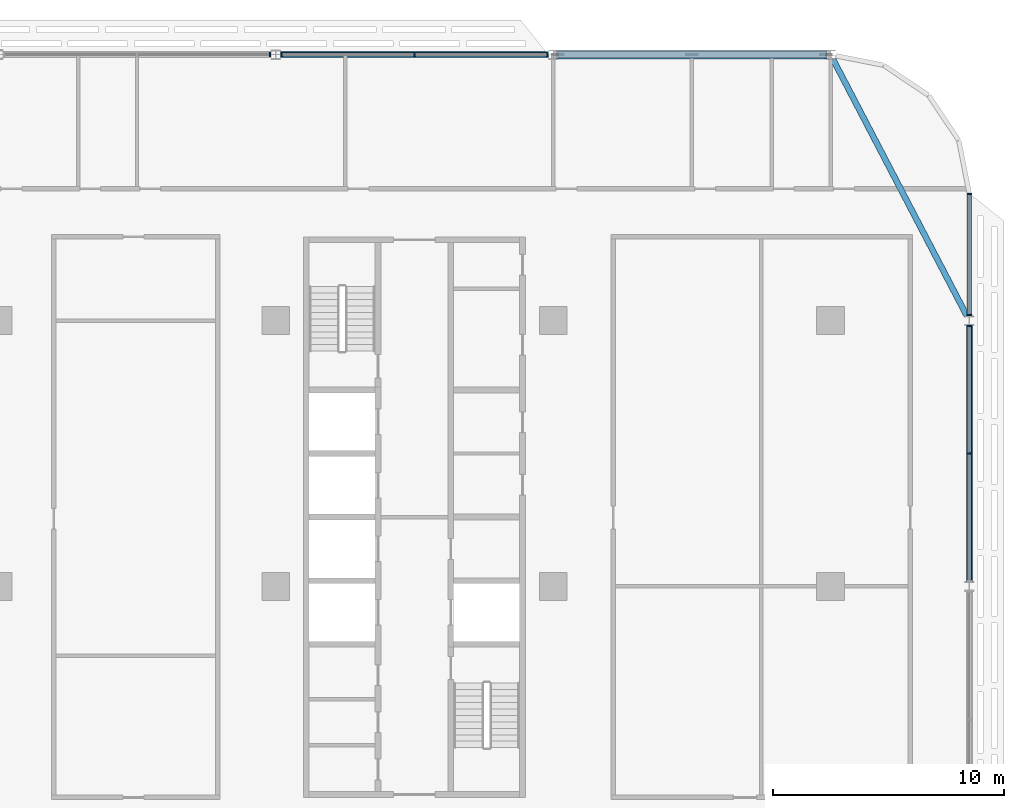
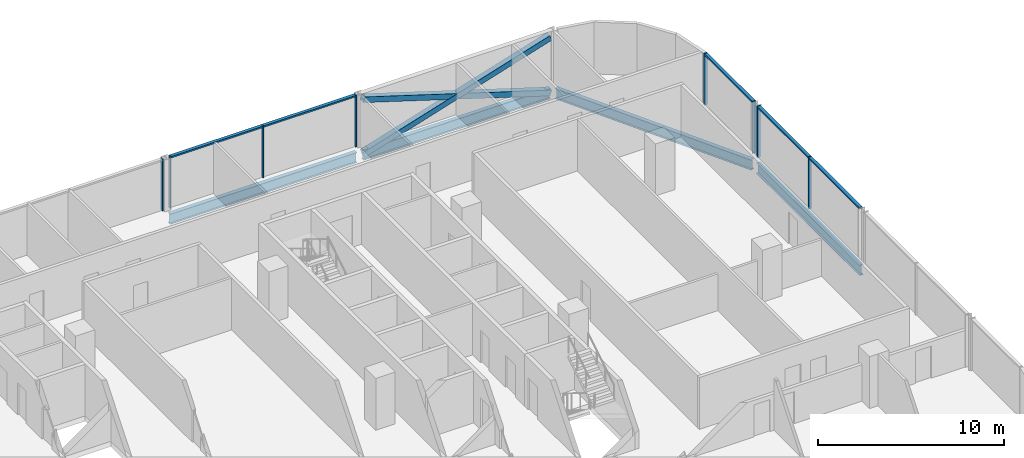
# One storey, part 9 of 28: 16 members, 4 beams, 4 elements without a shape of their own.
"""IFC4 building model written with IfcOpenShell, lengths in metres."""

from ifc_helpers import new_model, si_unit, direction, frame, origin, origin_2d, place, context, subcontext, project, spatial, rectangle, hollow_rectangle, i_section, extrude, material, material_profile, profile_set, type_object, element, aggregate, save


model = new_model("IFC4")

# Units and contexts
model_context = context("Model", 3, precision=1e-05, world=origin(), true_north=direction((0.0, 1.0)))
body_context = subcontext(model_context, "Body", "Model", "MODEL_VIEW")
ifc_project = project(units=[si_unit("LENGTHUNIT", "METRE"), si_unit("AREAUNIT", "SQUARE_METRE"), si_unit("VOLUMEUNIT", "CUBIC_METRE"), si_unit("PLANEANGLEUNIT", "RADIAN"), si_unit("MASSUNIT", "GRAM", prefix="KILO")], contexts=[model_context])

# Site, building, storey
site_placement = place(None, origin())
site = spatial("IfcSite", under=ifc_project, at=site_placement, CompositionType="ELEMENT")
building_placement = place(site_placement, origin())
building = spatial("IfcBuilding", under=site, at=building_placement, Name="Mahtab Terrace Research Tower", CompositionType="ELEMENT")
storey_placement = place(building_placement, frame((0.0, 0.0, 185.800048828125)))
storey = spatial("IfcBuildingStorey", under=building, at=storey_placement, Name="L44", CompositionType="ELEMENT", Elevation=185.800048828125)

# Members
ifc_material_1 = material(Name="Steel ASTM A500 Gr C", Category="steel")
ifc_material_profile_1 = material_profile(ifc_material_1, hollow_rectangle(XDim=0.355712890625, YDim=0.355712890625, WallThickness=0.015869140625, at=origin_2d()), Name="HSS14X14X5/8")
ifc_profile_set_1 = profile_set([ifc_material_profile_1], Name="Steel ASTM A500 Gr C")
member_type_1 = type_object("IfcMemberType", Name="HSS 14x14x5/8 brace XB141458", PredefinedType="BRACE", material=ifc_profile_set_1)
member_1_placement = place(storey_placement, frame((41.796875, 23.0, -0.61572265625), z_axis=(-0.954708641588, 0.0, 0.297542282166), x_axis=(0.0, -1.0, 0.0)))
element("IfcMember", 1, at=member_1_placement, inside=storey, type_object=member_type_1, Name="Exoskeleton brace L44 01 a", PredefinedType="BRACE", context=body_context, shape_type="SweptSolid", body=[
    extrude(hollow_rectangle(XDim=0.355712890625, YDim=0.355712890625, WallThickness=0.015869140625, at=origin_2d()), origin(), (0.0, 0.0, 1.0), 12.143798828125),
])
for number, where, z_axis, x_axis, name in (
    (2, (30.203125, 23.0, -0.61572265625), (0.954708641588, 0.0, 0.297542282166), (0.0, 1.0, 0.0), "Exoskeleton brace L44 01 b1"),
    (3, (36.0, 23.0, 1.19091796875), (0.954708641588, 0.0, 0.297542282166), (0.0, 1.0, 0.0), "Exoskeleton brace L44 01 b2"),
):
    element("IfcMember", number, at=place(storey_placement, frame(where, z_axis=z_axis, x_axis=x_axis)), inside=storey, type_object=member_type_1, Name=name, PredefinedType="BRACE", context=body_context, shape_type="SweptSolid", body=[
        extrude(hollow_rectangle(XDim=0.355712890625, YDim=0.355712890625, WallThickness=0.015869140625, at=origin_2d()), origin(), (0.0, 0.0, 1.0), 6.07177734375),
    ])

# Curtain wall, members
ifc_material_2 = material(Name="Laboratory ribbon curtain wall")
curtain_wall_type = type_object("IfcCurtainWallType", Name="Laboratory ribbon curtain wall", PredefinedType="NOTDEFINED", material=ifc_material_2)
curtain_wall_1_placement = place(storey_placement, origin())
curtain_wall_1 = element("IfcCurtainWall", 4, at=curtain_wall_1_placement, inside=storey, type_object=curtain_wall_type, Name="EN.L44.3.4", PredefinedType="NOTDEFINED")
ifc_material_3 = material(Name="Natural anodised aluminium", Category="aluminium")
ifc_material_profile_2 = material_profile(ifc_material_3, rectangle(XDim=0.199951171875, YDim=0.06494140625, at=origin_2d()), Name="MULLION 65x200")
ifc_profile_set_2 = profile_set([ifc_material_profile_2], Name="Natural anodised aluminium")
member_type_2 = type_object("IfcMemberType", Name="Laboratory ribbon curtain wall mullion", PredefinedType="MULLION", material=ifc_profile_set_2)
member_2_placement = place(storey_placement, frame((29.759521484375, 23.0, 0.0), z_axis=(0.0, 0.0, 1.0), x_axis=(0.0, -1.0, 0.0)))
member_2 = element("IfcMember", 5, at=member_2_placement, type_object=member_type_2, Name="CWL-5 mullion 1", PredefinedType="MULLION", context=body_context, shape_type="SweptSolid", body=[
    extrude(rectangle(XDim=0.199951171875, YDim=0.06494140625, at=origin_2d()), origin(), (0.0, 0.0, 1.0), 3.39990234375),
])
member_3_placement = place(storey_placement, frame((24.0, 23.0, 0.0), z_axis=(0.0, 0.0, 1.0), x_axis=(0.0, -1.0, 0.0)))
member_3 = element("IfcMember", 6, at=member_3_placement, type_object=member_type_2, Name="CWL-5 mullion 2", PredefinedType="MULLION", context=body_context, shape_type="SweptSolid", body=[
    extrude(rectangle(XDim=0.199951171875, YDim=0.06494140625, at=origin_2d()), origin(), (0.0, 0.0, 1.0), 3.39990234375),
])
member_4_placement = place(storey_placement, frame((18.240478515625, 23.0, 0.0), z_axis=(0.0, 0.0, 1.0), x_axis=(0.0, -1.0, 0.0)))
member_4 = element("IfcMember", 7, at=member_4_placement, type_object=member_type_2, Name="CWL-5 mullion 3", PredefinedType="MULLION", context=body_context, shape_type="SweptSolid", body=[
    extrude(rectangle(XDim=0.199951171875, YDim=0.06494140625, at=origin_2d()), origin(), (0.0, 0.0, 1.0), 3.39990234375),
])

# Curtain wall, member
curtain_wall_2_placement = place(storey_placement, origin())
curtain_wall_2 = element("IfcCurtainWall", 8, at=curtain_wall_2_placement, inside=storey, type_object=curtain_wall_type, Name="EN.L44.3.5", PredefinedType="NOTDEFINED")
member_5_placement = place(storey_placement, frame((17.759521484375, 23.0, 0.0), z_axis=(0.0, 0.0, 1.0), x_axis=(0.0, -1.0, 0.0)))
member_5 = element("IfcMember", 9, at=member_5_placement, type_object=member_type_2, Name="CWL-5 mullion 1", PredefinedType="MULLION", context=body_context, shape_type="SweptSolid", body=[
    extrude(rectangle(XDim=0.199951171875, YDim=0.06494140625, at=origin_2d()), origin(), (0.0, 0.0, 1.0), 3.39990234375),
])
aggregate(curtain_wall_2, [member_5])

# Curtain wall, members
curtain_wall_3_placement = place(storey_placement, origin())
curtain_wall_3 = element("IfcCurtainWall", 10, at=curtain_wall_3_placement, inside=storey, type_object=curtain_wall_type, Name="EN.L44.18.36", PredefinedType="NOTDEFINED")
member_6_placement = place(storey_placement, frame((48.0, 5.75, 0.0), z_axis=(0.0, 0.0, 1.0), x_axis=(-1.0, 0.0, 0.0)))
member_6 = element("IfcMember", 11, at=member_6_placement, type_object=member_type_2, Name="CWL-5 mullion 2", PredefinedType="MULLION", context=body_context, shape_type="SweptSolid", body=[
    extrude(rectangle(XDim=0.199951171875, YDim=0.06494140625, at=origin_2d()), origin(), (0.0, 0.0, 1.0), 3.39990234375),
])
member_7_placement = place(storey_placement, frame((48.0, 11.259521484375, 0.0), z_axis=(0.0, 0.0, 1.0), x_axis=(-1.0, 0.0, 0.0)))
member_7 = element("IfcMember", 12, at=member_7_placement, type_object=member_type_2, Name="CWL-5 mullion 3", PredefinedType="MULLION", context=body_context, shape_type="SweptSolid", body=[
    extrude(rectangle(XDim=0.199951171875, YDim=0.06494140625, at=origin_2d()), origin(), (0.0, 0.0, 1.0), 3.39990234375),
])

curtain_wall_4_placement = place(storey_placement, origin())
curtain_wall_4 = element("IfcCurtainWall", 13, at=curtain_wall_4_placement, inside=storey, type_object=curtain_wall_type, Name="EN.L44.18.37", PredefinedType="NOTDEFINED")
member_8_placement = place(storey_placement, frame((48.0, 11.740478515625, 0.0), z_axis=(0.0, 0.0, 1.0), x_axis=(-1.0, 0.0, 0.0)))
member_8 = element("IfcMember", 14, at=member_8_placement, type_object=member_type_2, Name="CWL-5 mullion 1", PredefinedType="MULLION", context=body_context, shape_type="SweptSolid", body=[
    extrude(rectangle(XDim=0.199951171875, YDim=0.06494140625, at=origin_2d()), origin(), (0.0, 0.0, 1.0), 3.39990234375),
])
member_9_placement = place(storey_placement, frame((48.0, 16.967529296875, 0.0), z_axis=(0.0, 0.0, 1.0), x_axis=(-1.0, 0.0, 0.0)))
member_9 = element("IfcMember", 15, at=member_9_placement, type_object=member_type_2, Name="CWL-5 mullion 2", PredefinedType="MULLION", context=body_context, shape_type="SweptSolid", body=[
    extrude(rectangle(XDim=0.199951171875, YDim=0.06494140625, at=origin_2d()), origin(), (0.0, 0.0, 1.0), 3.39990234375),
])

# Member
ifc_material_profile_3 = material_profile(ifc_material_3, rectangle(XDim=0.199951171875, YDim=0.10009765625, at=origin_2d()), Name="TRANSOM 100x200")
ifc_profile_set_3 = profile_set([ifc_material_profile_3], Name="Natural anodised aluminium")
member_type_3 = type_object("IfcMemberType", Name="Laboratory ribbon curtain wall transom", PredefinedType="USERDEFINED", material=ifc_profile_set_3)
member_10_placement = place(storey_placement, frame((29.72705078125, 23.0, 3.349853515625), z_axis=(-1.0, 0.0, 0.0), x_axis=(0.0, -1.0, 0.0)))
member_10 = element("IfcMember", 16, at=member_10_placement, type_object=member_type_3, Name="CWL-5 transom 1", ObjectType="TRANSOM", PredefinedType="USERDEFINED", context=body_context, shape_type="SweptSolid", body=[
    extrude(rectangle(XDim=0.199951171875, YDim=0.10009765625, at=origin_2d()), origin(), (0.0, 0.0, 1.0), 5.694580078125),
])

member_11_placement = place(storey_placement, frame((23.967529296875, 23.0, 3.349853515625), z_axis=(-1.0, 0.0, 0.0), x_axis=(0.0, -1.0, 0.0)))
member_11 = element("IfcMember", 17, at=member_11_placement, type_object=member_type_3, Name="CWL-5 transom 2", ObjectType="TRANSOM", PredefinedType="USERDEFINED", context=body_context, shape_type="SweptSolid", body=[
    extrude(rectangle(XDim=0.199951171875, YDim=0.10009765625, at=origin_2d()), origin(), (0.0, 0.0, 1.0), 5.694580078125),
])

aggregate(curtain_wall_1, [member_2, member_3, member_4, member_10, member_11])

member_12_placement = place(storey_placement, frame((48.0, 0.27294921875, 3.349853515625), z_axis=(0.0, 1.0, 0.0), x_axis=(-1.0, 0.0, 0.0)))
member_12 = element("IfcMember", 18, at=member_12_placement, type_object=member_type_3, Name="CWL-5 transom 1", ObjectType="TRANSOM", PredefinedType="USERDEFINED", context=body_context, shape_type="SweptSolid", body=[
    extrude(rectangle(XDim=0.199951171875, YDim=0.10009765625, at=origin_2d()), origin(), (0.0, 0.0, 1.0), 5.444580078125),
])

member_13_placement = place(storey_placement, frame((48.0, 5.782470703125, 3.349853515625), z_axis=(0.0, 1.0, 0.0), x_axis=(-1.0, 0.0, 0.0)))
member_13 = element("IfcMember", 19, at=member_13_placement, type_object=member_type_3, Name="CWL-5 transom 2", ObjectType="TRANSOM", PredefinedType="USERDEFINED", context=body_context, shape_type="SweptSolid", body=[
    extrude(rectangle(XDim=0.199951171875, YDim=0.10009765625, at=origin_2d()), origin(), (0.0, 0.0, 1.0), 5.444580078125),
])

aggregate(curtain_wall_3, [member_6, member_7, member_12, member_13])

member_14_placement = place(storey_placement, frame((48.0, 11.77294921875, 3.349853515625), z_axis=(0.0, 1.0, 0.0), x_axis=(-1.0, 0.0, 0.0)))
member_14 = element("IfcMember", 20, at=member_14_placement, type_object=member_type_3, Name="CWL-5 transom 1", ObjectType="TRANSOM", PredefinedType="USERDEFINED", context=body_context, shape_type="SweptSolid", body=[
    extrude(rectangle(XDim=0.199951171875, YDim=0.10009765625, at=origin_2d()), origin(), (0.0, 0.0, 1.0), 5.162109375),
])

aggregate(curtain_wall_4, [member_8, member_9, member_14])

# Beams
ifc_material_4 = material(Name="Steel ASTM A992 Gr 50", Category="steel")
ifc_material_profile_4 = material_profile(ifc_material_4, i_section(OverallWidth=0.25390625, OverallDepth=0.67822265625, WebThickness=0.01171875, FlangeThickness=0.016357421875, at=origin_2d()), Name="W27X84")
ifc_profile_set_4 = profile_set([ifc_material_profile_4], Name="Steel ASTM A992 Gr 50")
beam_type = type_object("IfcBeamType", Name="W27x84 beam BS2784", PredefinedType="BEAM", material=ifc_profile_set_4)
for number, where, z_axis, x_axis, name in (
    (21, (41.796875, 23.0, -0.67919921875), (-1.0, 0.0, 0.0), (0.0, -1.0, 0.0), "Spandrel beam L44 01"),
    (22, (29.796875, 23.0, -0.67919921875), (-1.0, 0.0, 0.0), (0.0, -1.0, 0.0), "Spandrel beam L44 02"),
):
    element("IfcBeam", number, at=place(storey_placement, frame(where, z_axis=z_axis, x_axis=x_axis)), inside=storey, type_object=beam_type, Name=name, PredefinedType="BEAM", context=body_context, shape_type="SweptSolid", body=[
        extrude(i_section(OverallWidth=0.25390625, OverallDepth=0.67822265625, WebThickness=0.01171875, FlangeThickness=0.016357421875, at=origin_2d()), origin(), (0.0, 0.0, 1.0), 11.59375),
    ])
beam_1_placement = place(storey_placement, frame((48.0, 0.208251953125, -0.67919921875), z_axis=(0.0, 1.0, 0.0), x_axis=(-1.0, 0.0, 0.0)))
element("IfcBeam", 23, at=beam_1_placement, inside=storey, type_object=beam_type, Name="Spandrel beam L44 21", PredefinedType="BEAM", context=body_context, shape_type="SweptSolid", body=[
    extrude(i_section(OverallWidth=0.25390625, OverallDepth=0.67822265625, WebThickness=0.01171875, FlangeThickness=0.016357421875, at=origin_2d()), origin(), (0.0, 0.0, 1.0), 11.08349609375),
])
beam_2_placement = place(storey_placement, frame((47.891357421875, 11.708251953125, -0.67919921875), z_axis=(-0.462567341525, 0.886584149731, 0.0), x_axis=(-0.886584149731, -0.462567341525, 0.0)))
element("IfcBeam", 24, at=beam_2_placement, inside=storey, type_object=beam_type, Name="Spandrel beam L44 22", PredefinedType="BEAM", context=body_context, shape_type="SweptSolid", body=[
    extrude(i_section(OverallWidth=0.25390625, OverallDepth=0.67822265625, WebThickness=0.01171875, FlangeThickness=0.016357421875, at=origin_2d()), origin(), (0.0, 0.0, 1.0), 12.50146484375),
])

save(model, "model.ifc")
